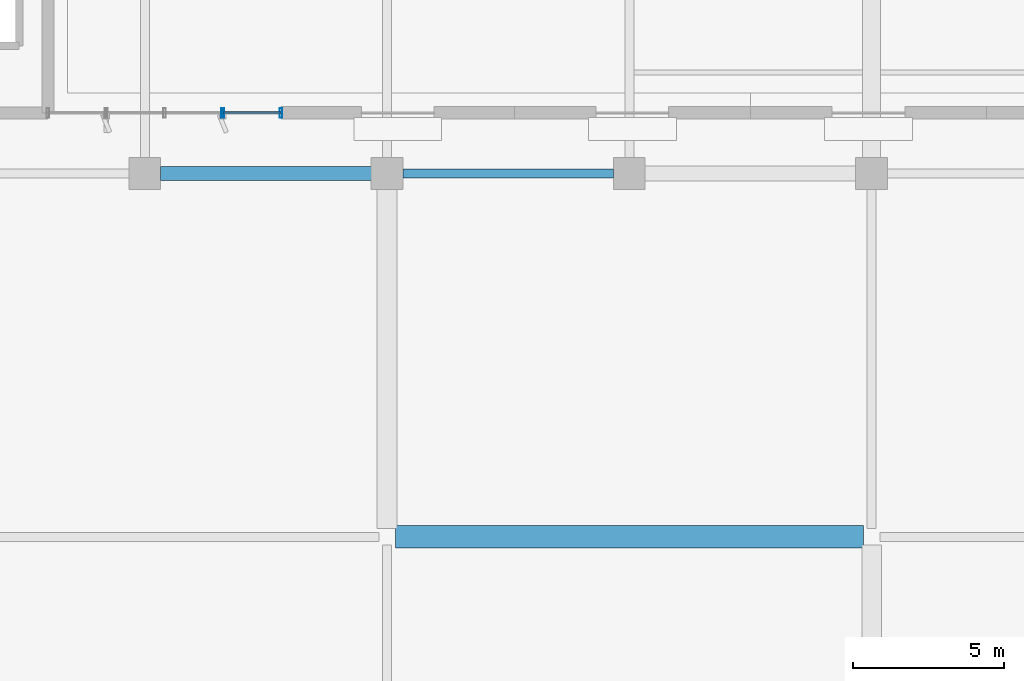
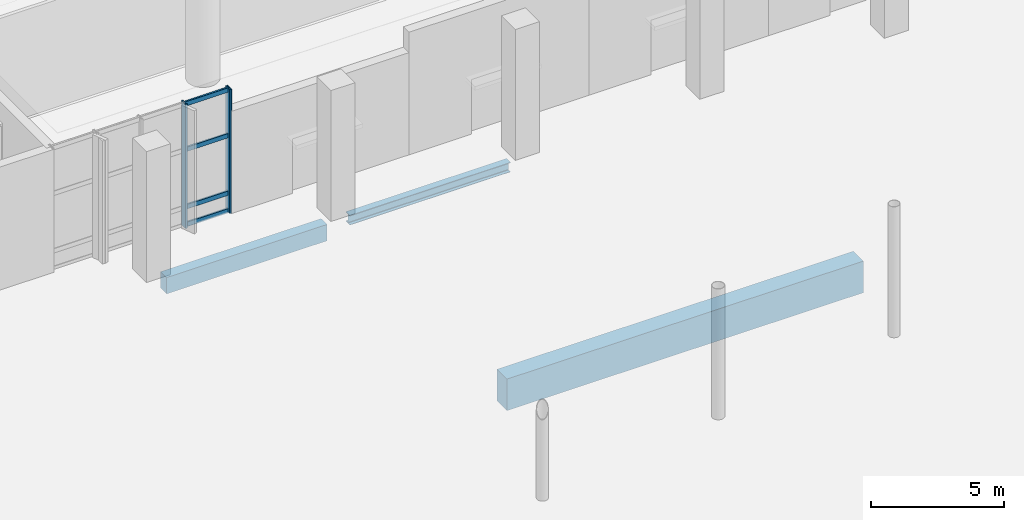
# One storey, part 37 of 163: 6 members, 3 beams, 1 element without a shape of its own.
"""IFC4 building model written with IfcOpenShell, lengths in metres."""

from ifc_helpers import new_model, si_unit, direction, frame, origin, origin_2d, place, context, subcontext, project, spatial, rectangle, hollow_rectangle, i_section, extrude, material, layer, layer_set, material_profile, profile_set, type_object, element, aggregate, save


model = new_model("IFC4")

# Units and contexts
model_context = context("Model", 3, precision=1e-05, world=origin(), true_north=direction((0.0, 1.0)))
body_context = subcontext(model_context, "Body", "Model", "MODEL_VIEW")
ifc_project = project(units=[si_unit("LENGTHUNIT", "METRE"), si_unit("AREAUNIT", "SQUARE_METRE"), si_unit("VOLUMEUNIT", "CUBIC_METRE"), si_unit("PLANEANGLEUNIT", "RADIAN"), si_unit("MASSUNIT", "GRAM", prefix="KILO")], contexts=[model_context])

# Site, building, storey
site_placement = place(None, origin())
site = spatial("IfcSite", under=ifc_project, at=site_placement, CompositionType="ELEMENT")
building_placement = place(site_placement, origin())
building = spatial("IfcBuilding", under=site, at=building_placement, Name="Khorjan Park Terminus", CompositionType="ELEMENT")
storey_placement = place(building_placement, origin())
storey = spatial("IfcBuildingStorey", under=building, at=storey_placement, Name="L00", CompositionType="ELEMENT", Elevation=0.0)

# Beams
ifc_material_1 = material(Name="Steel S355", Category="steel")
ifc_material_profile_1 = material_profile(ifc_material_1, i_section(OverallWidth=0.3, OverallDepth=0.44, WebThickness=0.0115, FlangeThickness=0.021, FilletRadius=0.027, at=origin_2d()), Name="HEA 450")
ifc_profile_set_1 = profile_set([ifc_material_profile_1], Name="Steel S355")
beam_type_1 = type_object("IfcBeamType", Name="BM-HEA450", PredefinedType="BEAM", material=ifc_profile_set_1)
beam_1_placement = place(storey_placement, frame((80.52, 26.0, -0.54), z_axis=(1.0, 0.0, 0.0), x_axis=(0.0, 1.0, 0.0)))
element("IfcBeam", 1, at=beam_1_placement, inside=storey, type_object=beam_type_1, Name="Primary floor girder SB-A45 (L00)", PredefinedType="BEAM", context=body_context, shape_type="SweptSolid", body=[
    extrude(i_section(OverallWidth=0.3, OverallDepth=0.44, WebThickness=0.0115, FlangeThickness=0.021, FilletRadius=0.027, at=origin_2d()), origin(), (0.0, 0.0, 1.0), 6.96),
])
ifc_material_2 = material(Name="Concrete C40/50", Category="concrete")
ifc_material_profile_2 = material_profile(ifc_material_2, rectangle(XDim=0.45, YDim=0.75, at=origin_2d()), Name="RC 450x750")
ifc_profile_set_2 = profile_set([ifc_material_profile_2], Name="Concrete C40/50")
beam_type_2 = type_object("IfcBeamType", Name="BM-RC450x750", PredefinedType="BEAM", material=ifc_profile_set_2)
beam_2_placement = place(storey_placement, frame((72.52, 26.0, -0.695), z_axis=(1.0, 0.0, 0.0), x_axis=(0.0, 1.0, 0.0)))
element("IfcBeam", 2, at=beam_2_placement, inside=storey, type_object=beam_type_2, Name="Primary floor girder GB-75 (L00)", PredefinedType="BEAM", context=body_context, shape_type="SweptSolid", body=[
    extrude(rectangle(XDim=0.45, YDim=0.75, at=origin_2d()), origin(), (0.0, 0.0, 1.0), 6.96),
])
ifc_material_3 = material(Name="Concrete C50/60", Category="concrete")
ifc_material_profile_3 = material_profile(ifc_material_3, rectangle(XDim=0.75, YDim=1.45, at=origin_2d()), Name="RC 750x1450")
ifc_profile_set_3 = profile_set([ifc_material_profile_3], Name="Concrete C50/60")
beam_type_3 = type_object("IfcBeamType", Name="BM-RC750x1450", PredefinedType="BEAM", material=ifc_profile_set_3)
beam_3_placement = place(storey_placement, frame((80.27, 14.0, -1.045), z_axis=(1.0, 0.0, 0.0), x_axis=(0.0, 1.0, 0.0)))
element("IfcBeam", 3, at=beam_3_placement, inside=storey, type_object=beam_type_3, Name="Primary floor girder GB-14 (L00)", PredefinedType="BEAM", context=body_context, shape_type="SweptSolid", body=[
    extrude(rectangle(XDim=0.75, YDim=1.45, at=origin_2d()), origin(), (0.0, 0.0, 1.0), 15.46),
])

# Curtain wall, members
ifc_material_4 = material(Name="Anodized Bronze Aluminium", Category="aluminium")
ifc_layer = layer(ifc_material_4, 0.22)
ifc_layer_set = layer_set([ifc_layer], Name="Anodized Bronze Aluminium")
curtain_wall_type = type_object("IfcCurtainWallType", Name="CW-CONC-A", PredefinedType="NOTDEFINED", material=ifc_layer_set)
curtain_wall_placement = place(storey_placement, origin())
curtain_wall = element("IfcCurtainWall", 4, at=curtain_wall_placement, inside=storey, type_object=curtain_wall_type, Name="Unitized curtain wall CW-A (CW-V2-S-L00-02)", PredefinedType="NOTDEFINED")
ifc_material_profile_4 = material_profile(ifc_material_4, hollow_rectangle(XDim=0.09, YDim=0.32, WallThickness=0.006, InnerFilletRadius=0.006, OuterFilletRadius=0.012, at=origin_2d()), Name="ALM 90x320x6")
ifc_profile_set_4 = profile_set([ifc_material_profile_4], Name="Anodized Bronze Aluminium")
member_type_1 = type_object("IfcMemberType", Name="ML-ALM-320", PredefinedType="MULLION", material=ifc_profile_set_4)
member_1_placement = place(storey_placement, frame((74.575, 28.0, -0.035), z_axis=(0.0, 0.0, 1.0), x_axis=(1.0, 0.0, 0.0)))
member_1 = element("IfcMember", 5, at=member_1_placement, type_object=member_type_1, Name="Curtain-wall mullion ML-32 (CW-V2-S-L00-02-3)", PredefinedType="MULLION", context=body_context, shape_type="SweptSolid", body=[
    extrude(hollow_rectangle(XDim=0.09, YDim=0.32, WallThickness=0.006, InnerFilletRadius=0.006, OuterFilletRadius=0.012, at=origin_2d()), origin(), (0.0, 0.0, 1.0), 5.69),
])
member_2_placement = place(storey_placement, frame((76.5, 28.0, -0.035), z_axis=(0.0, 0.0, 1.0), x_axis=(1.0, 0.0, 0.0)))
member_2 = element("IfcMember", 6, at=member_2_placement, type_object=member_type_1, Name="Curtain-wall mullion ML-32 (CW-V2-S-L00-02-4)", PredefinedType="MULLION", context=body_context, shape_type="SweptSolid", body=[
    extrude(hollow_rectangle(XDim=0.09, YDim=0.32, WallThickness=0.006, InnerFilletRadius=0.006, OuterFilletRadius=0.012, at=origin_2d()), origin(), (0.0, 0.0, 1.0), 5.69),
])
ifc_material_profile_5 = material_profile(ifc_material_4, hollow_rectangle(XDim=0.08, YDim=0.21, WallThickness=0.005, InnerFilletRadius=0.005, OuterFilletRadius=0.01, at=origin_2d()), Name="ALT 80x210x5")
ifc_profile_set_5 = profile_set([ifc_material_profile_5], Name="Anodized Bronze Aluminium")
member_type_2 = type_object("IfcMemberType", Name="TR-ALT-210", PredefinedType="USERDEFINED", material=ifc_profile_set_5)
member_3_placement = place(storey_placement, frame((74.575, 28.0, 0.04), z_axis=(1.0, 0.0, 0.0), x_axis=(0.0, 1.0, 0.0)))
member_3 = element("IfcMember", 7, at=member_3_placement, type_object=member_type_2, Name="Curtain-wall transom TR-21 (CW-V2-S-L00-02-3-1)", ObjectType="TRANSOM", PredefinedType="USERDEFINED", context=body_context, shape_type="SweptSolid", body=[
    extrude(hollow_rectangle(XDim=0.08, YDim=0.21, WallThickness=0.005, InnerFilletRadius=0.005, OuterFilletRadius=0.01, at=origin_2d()), origin(), (0.0, 0.0, 1.0), 1.925),
])
member_4_placement = place(storey_placement, frame((74.575, 28.0, 0.85), z_axis=(1.0, 0.0, 0.0), x_axis=(0.0, 1.0, 0.0)))
member_4 = element("IfcMember", 8, at=member_4_placement, type_object=member_type_2, Name="Curtain-wall transom TR-21 (CW-V2-S-L00-02-3-2)", ObjectType="TRANSOM", PredefinedType="USERDEFINED", context=body_context, shape_type="SweptSolid", body=[
    extrude(hollow_rectangle(XDim=0.08, YDim=0.21, WallThickness=0.005, InnerFilletRadius=0.005, OuterFilletRadius=0.01, at=origin_2d()), origin(), (0.0, 0.0, 1.0), 1.925),
])
member_5_placement = place(storey_placement, frame((74.575, 28.0, 3.4844), z_axis=(1.0, 0.0, 0.0), x_axis=(0.0, 1.0, 0.0)))
member_5 = element("IfcMember", 9, at=member_5_placement, type_object=member_type_2, Name="Curtain-wall transom TR-21 (CW-V2-S-L00-02-3-3)", ObjectType="TRANSOM", PredefinedType="USERDEFINED", context=body_context, shape_type="SweptSolid", body=[
    extrude(hollow_rectangle(XDim=0.08, YDim=0.21, WallThickness=0.005, InnerFilletRadius=0.005, OuterFilletRadius=0.01, at=origin_2d()), origin(), (0.0, 0.0, 1.0), 1.925),
])
member_6_placement = place(storey_placement, frame((74.575, 28.0, 5.58), z_axis=(1.0, 0.0, 0.0), x_axis=(0.0, 1.0, 0.0)))
member_6 = element("IfcMember", 10, at=member_6_placement, type_object=member_type_2, Name="Curtain-wall transom TR-21 (CW-V2-S-L00-02-3-4)", ObjectType="TRANSOM", PredefinedType="USERDEFINED", context=body_context, shape_type="SweptSolid", body=[
    extrude(hollow_rectangle(XDim=0.08, YDim=0.21, WallThickness=0.005, InnerFilletRadius=0.005, OuterFilletRadius=0.01, at=origin_2d()), origin(), (0.0, 0.0, 1.0), 1.925),
])
aggregate(curtain_wall, [member_1, member_2, member_3, member_4, member_5, member_6])

save(model, "model.ifc")
